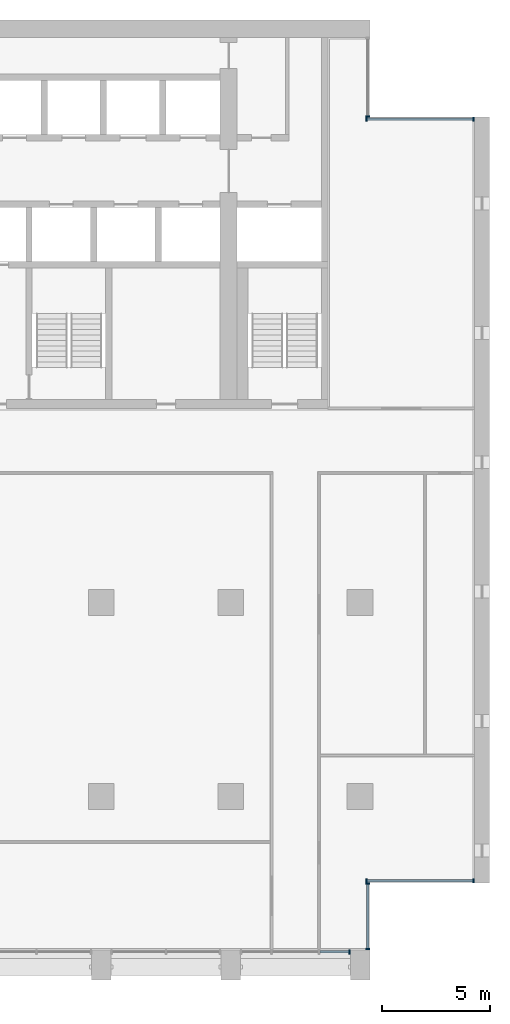
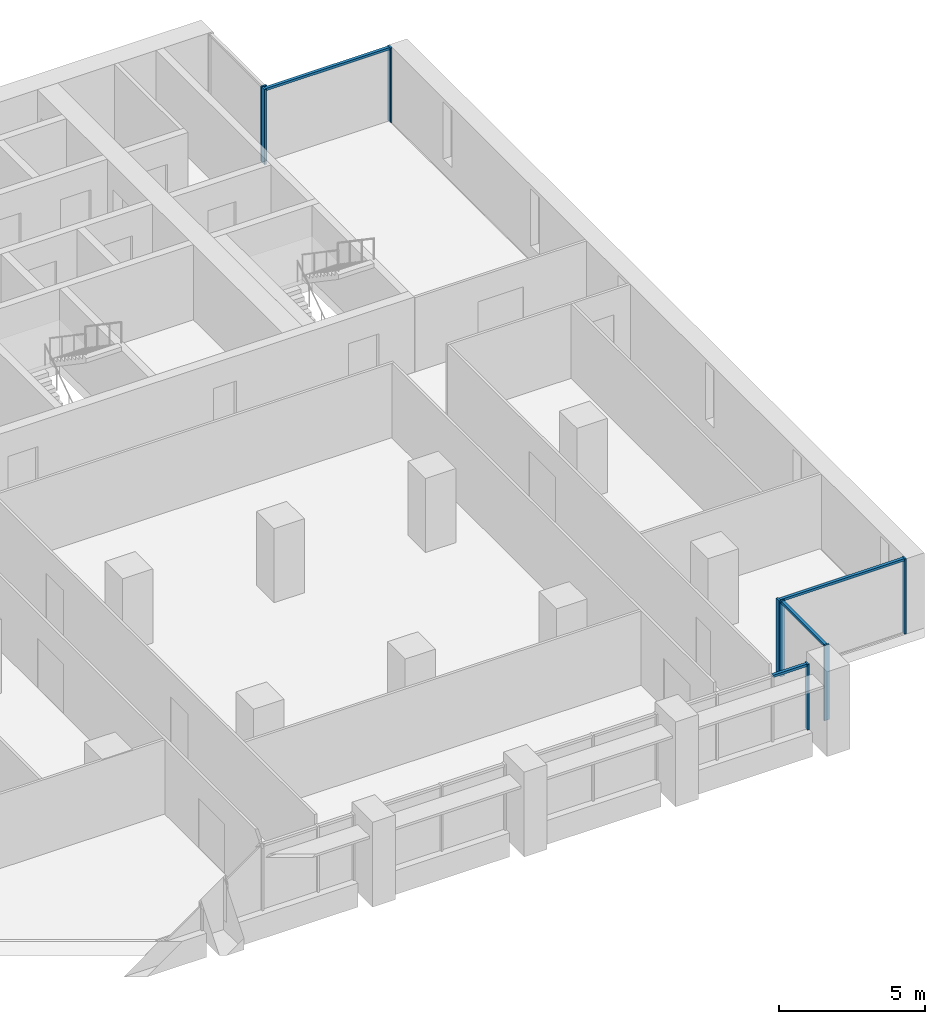
# One storey, part 5 of 15: 12 members, 5 elements without a shape of their own.
"""IFC4 building model written with IfcOpenShell, lengths in metres."""

from ifc_helpers import new_model, si_unit, direction, frame, origin, origin_2d, place, context, subcontext, project, spatial, rectangle, extrude, material, material_profile, profile_set, type_object, element, aggregate, save


model = new_model("IFC4")

# Units and contexts
model_context = context("Model", 3, precision=1e-05, world=origin(), true_north=direction((0.0, 1.0)))
body_context = subcontext(model_context, "Body", "Model", "MODEL_VIEW")
ifc_project = project(units=[si_unit("LENGTHUNIT", "METRE"), si_unit("AREAUNIT", "SQUARE_METRE"), si_unit("VOLUMEUNIT", "CUBIC_METRE"), si_unit("PLANEANGLEUNIT", "RADIAN"), si_unit("MASSUNIT", "GRAM", prefix="KILO")], contexts=[model_context])

# Site, building, storey
site_placement = place(None, origin())
site = spatial("IfcSite", under=ifc_project, at=site_placement, CompositionType="ELEMENT")
building_placement = place(site_placement, origin())
building = spatial("IfcBuilding", under=site, at=building_placement, Name="Calvaro Tower", CompositionType="ELEMENT")
storey_placement = place(building_placement, frame((0.0, 0.0, 155.0)))
storey = spatial("IfcBuildingStorey", under=building, at=storey_placement, Name="L39", CompositionType="ELEMENT", Elevation=155.0)

# Curtain wall, member
ifc_material_1 = material(Name="Anodised aluminium", Category="aluminium")
curtain_wall_type = type_object("IfcCurtainWallType", Name="Office curtain wall, middle zone", PredefinedType="NOTDEFINED", material=ifc_material_1)
curtain_wall_1_placement = place(storey_placement, origin())
curtain_wall_1 = element("IfcCurtainWall", 1, at=curtain_wall_1_placement, inside=storey, type_object=curtain_wall_type, Name="CW2 south curtain wall", PredefinedType="NOTDEFINED")
ifc_material_2 = material(Name="Anodised aluminium", Category="aluminium")
ifc_material_profile_1 = material_profile(ifc_material_2, rectangle(XDim=0.199951171875, YDim=0.070068359375, at=origin_2d()), Name="Mullion S2 70 x 200")
ifc_profile_set_1 = profile_set([ifc_material_profile_1], Name="Anodised aluminium")
member_type_1 = type_object("IfcMemberType", Name="Mullion S2 70 x 200", PredefinedType="MULLION", material=ifc_profile_set_1)
member_1_placement = place(storey_placement, frame((65.514892578125, 2.800048828125, 0.0), z_axis=(0.0, 0.0, 1.0), x_axis=(0.0, 1.0, 0.0)))
member_1 = element("IfcMember", 2, at=member_1_placement, type_object=member_type_1, Name="CW2 mullion 4", PredefinedType="MULLION", context=body_context, shape_type="SweptSolid", body=[
    extrude(rectangle(XDim=0.199951171875, YDim=0.070068359375, at=origin_2d()), origin(), (0.0, 0.0, 1.0), 2.75),
])

# Curtain wall, members
curtain_wall_2_placement = place(storey_placement, origin())
curtain_wall_2 = element("IfcCurtainWall", 3, at=curtain_wall_2_placement, inside=storey, type_object=curtain_wall_type, Name="CW2 corner curtain wall", PredefinedType="NOTDEFINED")
member_2_placement = place(storey_placement, frame((66.35009765625, 2.93505859375, 0.0), z_axis=(0.0, 0.0, 1.0), x_axis=(-1.0, 0.0, 0.0)))
member_2 = element("IfcMember", 4, at=member_2_placement, type_object=member_type_1, Name="CW2 mullion 1", PredefinedType="MULLION", context=body_context, shape_type="SweptSolid", body=[
    extrude(rectangle(XDim=0.199951171875, YDim=0.070068359375, at=origin_2d()), origin(), (0.0, 0.0, 1.0), 3.14990234375),
])
member_3_placement = place(storey_placement, frame((66.35009765625, 5.965087890625, 0.0), z_axis=(0.0, 0.0, 1.0), x_axis=(-1.0, 0.0, 0.0)))
member_3 = element("IfcMember", 5, at=member_3_placement, type_object=member_type_1, Name="CW2 mullion 2", PredefinedType="MULLION", context=body_context, shape_type="SweptSolid", body=[
    extrude(rectangle(XDim=0.199951171875, YDim=0.070068359375, at=origin_2d()), origin(), (0.0, 0.0, 1.0), 3.14990234375),
])

curtain_wall_3_placement = place(storey_placement, origin())
curtain_wall_3 = element("IfcCurtainWall", 6, at=curtain_wall_3_placement, inside=storey, type_object=curtain_wall_type, Name="CW2 corner curtain wall", PredefinedType="NOTDEFINED")
member_4_placement = place(storey_placement, frame((66.284912109375, 6.10009765625, 0.0), z_axis=(0.0, 0.0, 1.0), x_axis=(0.0, 1.0, 0.0)))
member_4 = element("IfcMember", 7, at=member_4_placement, type_object=member_type_1, Name="CW2 mullion 1", PredefinedType="MULLION", context=body_context, shape_type="SweptSolid", body=[
    extrude(rectangle(XDim=0.199951171875, YDim=0.070068359375, at=origin_2d()), origin(), (0.0, 0.0, 1.0), 3.14990234375),
])
member_5_placement = place(storey_placement, frame((71.264892578125, 6.10009765625, 0.0), z_axis=(0.0, 0.0, 1.0), x_axis=(0.0, 1.0, 0.0)))
member_5 = element("IfcMember", 8, at=member_5_placement, type_object=member_type_1, Name="CW2 mullion 2", PredefinedType="MULLION", context=body_context, shape_type="SweptSolid", body=[
    extrude(rectangle(XDim=0.199951171875, YDim=0.070068359375, at=origin_2d()), origin(), (0.0, 0.0, 1.0), 3.14990234375),
])

# Curtain wall, member
curtain_wall_4_placement = place(storey_placement, origin())
curtain_wall_4 = element("IfcCurtainWall", 9, at=curtain_wall_4_placement, inside=storey, type_object=curtain_wall_type, Name="CW2 corner curtain wall", PredefinedType="NOTDEFINED")
member_6_placement = place(storey_placement, frame((66.35009765625, 41.534912109375, 0.0), z_axis=(0.0, 0.0, 1.0), x_axis=(-1.0, 0.0, 0.0)))
member_6 = element("IfcMember", 10, at=member_6_placement, type_object=member_type_1, Name="CW2 mullion 1", PredefinedType="MULLION", context=body_context, shape_type="SweptSolid", body=[
    extrude(rectangle(XDim=0.199951171875, YDim=0.070068359375, at=origin_2d()), origin(), (0.0, 0.0, 1.0), 3.14990234375),
])
aggregate(curtain_wall_4, [member_6])

# Curtain wall, members
curtain_wall_5_placement = place(storey_placement, origin())
curtain_wall_5 = element("IfcCurtainWall", 11, at=curtain_wall_5_placement, inside=storey, type_object=curtain_wall_type, Name="CW2 corner curtain wall", PredefinedType="NOTDEFINED")
member_7_placement = place(storey_placement, frame((66.284912109375, 41.39990234375, 0.0), z_axis=(0.0, 0.0, 1.0), x_axis=(0.0, 1.0, 0.0)))
member_7 = element("IfcMember", 12, at=member_7_placement, type_object=member_type_1, Name="CW2 mullion 1", PredefinedType="MULLION", context=body_context, shape_type="SweptSolid", body=[
    extrude(rectangle(XDim=0.199951171875, YDim=0.070068359375, at=origin_2d()), origin(), (0.0, 0.0, 1.0), 3.14990234375),
])
member_8_placement = place(storey_placement, frame((71.264892578125, 41.39990234375, 0.0), z_axis=(0.0, 0.0, 1.0), x_axis=(0.0, 1.0, 0.0)))
member_8 = element("IfcMember", 13, at=member_8_placement, type_object=member_type_1, Name="CW2 mullion 2", PredefinedType="MULLION", context=body_context, shape_type="SweptSolid", body=[
    extrude(rectangle(XDim=0.199951171875, YDim=0.070068359375, at=origin_2d()), origin(), (0.0, 0.0, 1.0), 3.14990234375),
])

# Member
ifc_material_3 = material(Name="Anodised aluminium", Category="aluminium")
ifc_material_profile_2 = material_profile(ifc_material_3, rectangle(XDim=0.1201171875, YDim=0.10009765625, at=origin_2d()), Name="Transom S2 100 x 120")
ifc_profile_set_2 = profile_set([ifc_material_profile_2], Name="Anodised aluminium")
member_type_2 = type_object("IfcMemberType", Name="Transom S2 100 x 120", PredefinedType="USERDEFINED", material=ifc_profile_set_2)
member_9_placement = place(storey_placement, frame((64.135009765625, 2.800048828125, 2.699951171875), z_axis=(1.0, 0.0, 0.0), x_axis=(0.0, 1.0, 0.0)))
member_9 = element("IfcMember", 14, at=member_9_placement, type_object=member_type_2, Name="CW2 transom 3.1", ObjectType="TRANSOM", PredefinedType="USERDEFINED", context=body_context, shape_type="SweptSolid", body=[
    extrude(rectangle(XDim=0.1201171875, YDim=0.10009765625, at=origin_2d()), origin(), (0.0, 0.0, 1.0), 1.344970703125),
])

aggregate(curtain_wall_1, [member_1, member_9])

member_10_placement = place(storey_placement, frame((66.35009765625, 2.969970703125, 3.10009765625), z_axis=(0.0, 1.0, 0.0), x_axis=(-1.0, 0.0, 0.0)))
member_10 = element("IfcMember", 15, at=member_10_placement, type_object=member_type_2, Name="CW2 transom 1.1", ObjectType="TRANSOM", PredefinedType="USERDEFINED", context=body_context, shape_type="SweptSolid", body=[
    extrude(rectangle(XDim=0.1201171875, YDim=0.10009765625, at=origin_2d()), origin(), (0.0, 0.0, 1.0), 2.9599609375),
])

aggregate(curtain_wall_2, [member_2, member_3, member_10])

member_11_placement = place(storey_placement, frame((66.320068359375, 6.10009765625, 3.10009765625), z_axis=(1.0, 0.0, 0.0), x_axis=(0.0, 1.0, 0.0)))
member_11 = element("IfcMember", 16, at=member_11_placement, type_object=member_type_2, Name="CW2 transom 1.1", ObjectType="TRANSOM", PredefinedType="USERDEFINED", context=body_context, shape_type="SweptSolid", body=[
    extrude(rectangle(XDim=0.1201171875, YDim=0.10009765625, at=origin_2d()), origin(), (0.0, 0.0, 1.0), 4.909912109375),
])

aggregate(curtain_wall_3, [member_4, member_5, member_11])

member_12_placement = place(storey_placement, frame((66.320068359375, 41.39990234375, 3.10009765625), z_axis=(1.0, 0.0, 0.0), x_axis=(0.0, 1.0, 0.0)))
member_12 = element("IfcMember", 17, at=member_12_placement, type_object=member_type_2, Name="CW2 transom 1.1", ObjectType="TRANSOM", PredefinedType="USERDEFINED", context=body_context, shape_type="SweptSolid", body=[
    extrude(rectangle(XDim=0.1201171875, YDim=0.10009765625, at=origin_2d()), origin(), (0.0, 0.0, 1.0), 4.909912109375),
])

aggregate(curtain_wall_5, [member_7, member_8, member_12])

save(model, "model.ifc")
